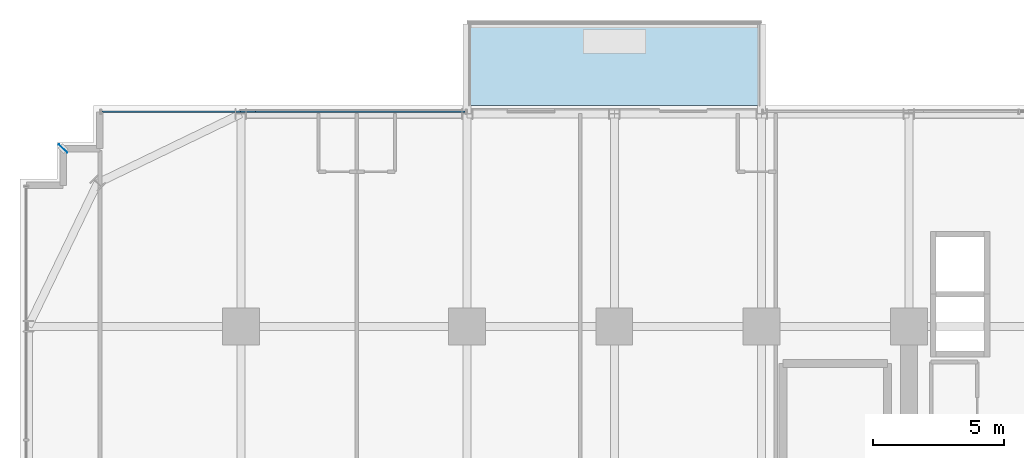
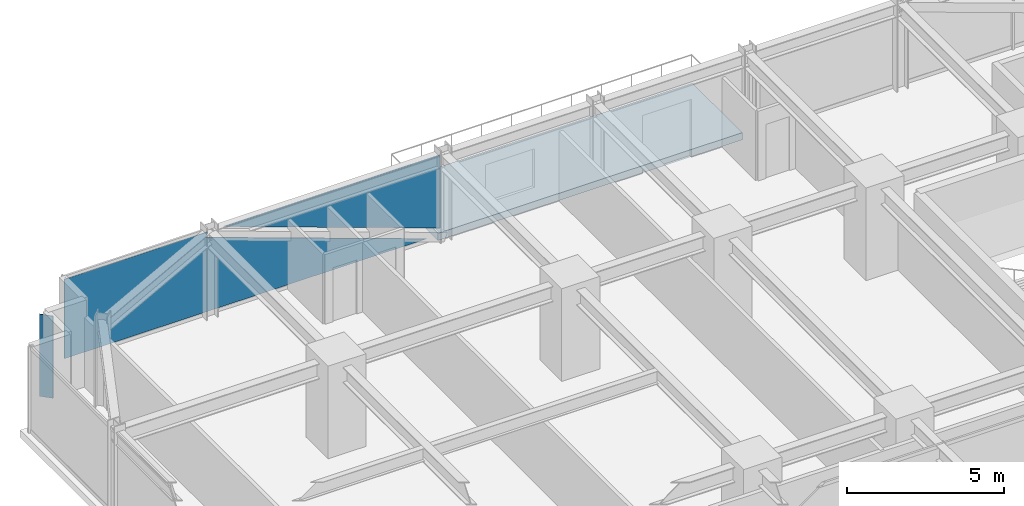
# One storey, part 38 of 47: 2 plates, 1 slab, 1 element without a shape of its own.
"""IFC4 building model written with IfcOpenShell, lengths in metres."""

from ifc_helpers import new_model, si_unit, direction, frame, origin, origin_2d, place, context, subcontext, project, spatial, polyline, rectangle, outline, extrude, source, transform, mapped, material, layer, layer_set, type_object, element, aggregate, save


model = new_model("IFC4")

# Units and contexts
model_context = context("Model", 3, precision=1e-05, world=origin(), true_north=direction((0.0, 1.0)))
body_context = subcontext(model_context, "Body", "Model", "MODEL_VIEW")
ifc_project = project(units=[si_unit("LENGTHUNIT", "METRE"), si_unit("AREAUNIT", "SQUARE_METRE"), si_unit("VOLUMEUNIT", "CUBIC_METRE"), si_unit("PLANEANGLEUNIT", "RADIAN"), si_unit("MASSUNIT", "GRAM", prefix="KILO")], contexts=[model_context])

# Site, building, storey
site_placement = place(None, origin())
site = spatial("IfcSite", under=ifc_project, at=site_placement, CompositionType="ELEMENT")
building_placement = place(site_placement, origin())
building = spatial("IfcBuilding", under=site, at=building_placement, Name="Nahalor Promenade Grand Hotel", CompositionType="ELEMENT")
storey_placement = place(building_placement, frame((0.0, 0.0, 68.89990234375)))
storey = spatial("IfcBuildingStorey", under=building, at=storey_placement, Name="L16", CompositionType="ELEMENT", Elevation=68.89990234375)

# Curtain wall, plate
ifc_material_1 = material(Name="Anodised Bronze Aluminium EN AW-6063 T6", Category="aluminium")
curtain_wall_type = type_object("IfcCurtainWallType", Name="CW3 Elliptical-Void Collar Unitised Curtain Wall", PredefinedType="USERDEFINED", material=ifc_material_1)
curtain_wall_placement = place(storey_placement, origin())
curtain_wall = element("IfcCurtainWall", 1, at=curtain_wall_placement, inside=storey, type_object=curtain_wall_type, Name="L16 Curtain Wall CW-L16-N-1", ObjectType="UNITISED_CURTAIN_WALL", PredefinedType="USERDEFINED")
ifc_material_2 = material(Name="Low-E Laminated Solar Glass", Category="glass")
ifc_layer_1 = layer(ifc_material_2, 0.030029296875)
ifc_layer_set_1 = layer_set([ifc_layer_1], Name="Low-E Laminated Solar Glass")
plate_type_1 = type_object("IfcPlateType", Name="CWP3 High-Wind Laminated Bronze IGU 30mm", PredefinedType="CURTAIN_PANEL", material=ifc_layer_set_1)
plate_1_placement = place(storey_placement, frame((-15.3798828125, 25.159912109375, 0.14013671875), z_axis=(0.0, 0.0, 1.0), x_axis=(1.0, 0.0, 0.0)))
plate_1 = element("IfcPlate", 2, at=plate_1_placement, type_object=plate_type_1, Name="CW-L16-N-1 Glazing Panel 0-0", PredefinedType="CURTAIN_PANEL", context=body_context, shape_type="SweptSolid", body=[
    extrude(outline(polyline([(-6.909912109375, 3.090087890625), (-6.909912109375, 0.0), (6.4130859375, 0.0), (-1.710693359375, 2.900146484375), (-1.64306640625, 3.090087890625), (-6.909912109375, 3.090087890625)])), frame((0.0, 0.01513671875, 0.0), z_axis=(0.0, -1.0, 0.0), x_axis=(1.0, 0.0, 0.0)), (0.0, 0.0, 1.0), 0.030029296875),
    extrude(outline(polyline([(6.909912109375, 0.247314453125), (6.909912109375, 3.090087890625), (-1.05322265625, 3.090087890625), (6.909912109375, 0.247314453125)])), frame((0.0, 0.01513671875, 0.0), z_axis=(0.0, -1.0, 0.0), x_axis=(1.0, 0.0, 0.0)), (0.0, 0.0, 1.0), 0.030029296875),
])
aggregate(curtain_wall, [plate_1])

# Slab
ifc_material_3 = material(Name="Concrete B-50 (C40/50)", Category="concrete")
ifc_layer_2 = layer(ifc_material_3, 0.280029296875)
ifc_layer_set_2 = layer_set([ifc_layer_2], Name="Concrete B-50 (C40/50)")
slab_type = type_object("IfcSlabType", Name="Slab-Balcony-280", PredefinedType="FLOOR", material=ifc_layer_set_2)
slab_placement = place(storey_placement, frame((0.0, 0.0, -0.27978515625)))
element("IfcSlab", 3, at=slab_placement, inside=storey, type_object=slab_type, Name="L16 Cantilevered Planted Balcony 1", PredefinedType="FLOOR", context=body_context, shape_type="SweptSolid", body=[
    extrude(outline(polyline([(-8.39990234375, 25.39990234375), (2.800048828125, 25.39990234375), (2.800048828125, 28.580078125), (-8.39990234375, 28.580078125), (-8.39990234375, 25.39990234375)])), origin(), (0.0, 0.0, 1.0), 0.27978515625),
])

# Plate
ifc_layer_3 = layer(ifc_material_1, 0.02001953125)
ifc_layer_set_3 = layer_set([ifc_layer_3], Name="Anodised Bronze Aluminium EN AW-6063 T6")
plate_type_2 = type_object("IfcPlateType", Name="Plate-CornerFin-20", PredefinedType="SHEET", material=ifc_layer_set_3)
shared_shape = source(origin(), body_context, "Body", "SweptSolid", [
    extrude(rectangle(XDim=0.449951171875, YDim=0.02001953125, at=origin_2d()), origin(), (0.0, 0.0, 1.0), 3.199951171875),
])
plate_2_placement = place(storey_placement, frame((-23.760009765625, 23.760009765625, 0.0), z_axis=(0.0, 0.0, 1.0), x_axis=(-0.707106781187, 0.707106781187, 0.0)))
element("IfcPlate", 4, at=plate_2_placement, inside=storey, type_object=plate_type_2, Name="FIN-L16-NW", PredefinedType="SHEET", context=body_context, shape_type="MappedRepresentation", body=[
    mapped(shared_shape, transform((0.0, 0.0, 0.0), scale=1.0)),
])

save(model, "model.ifc")
